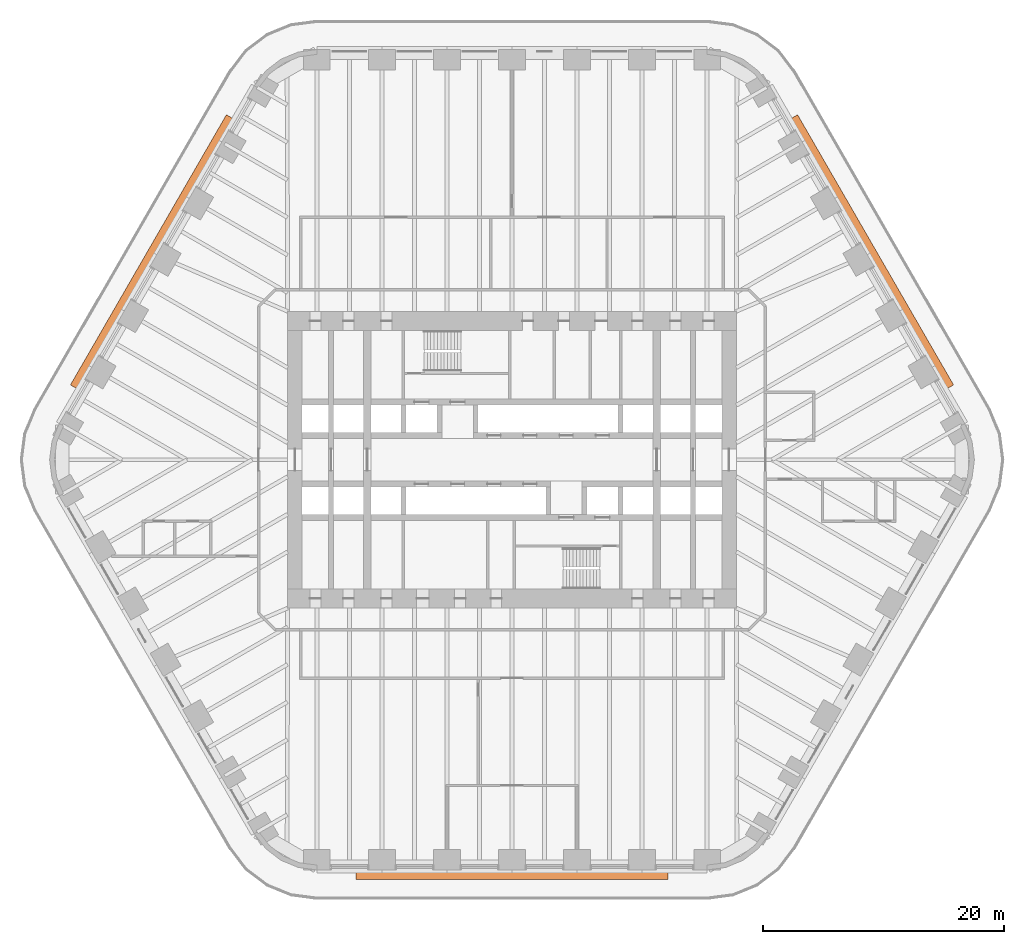
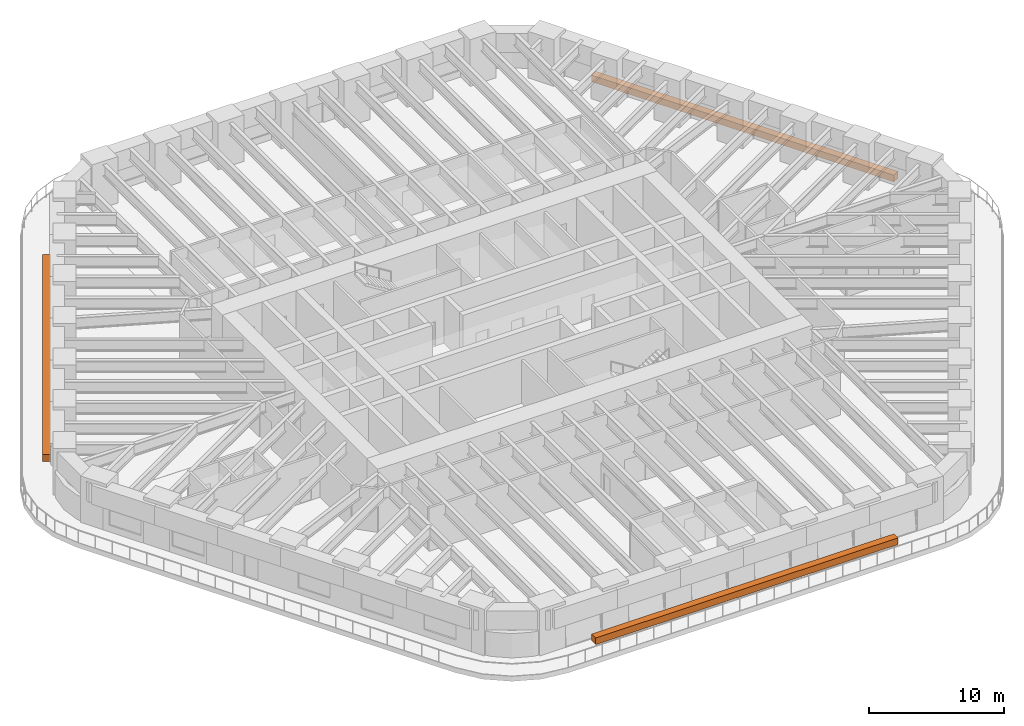
# One storey, part 16 of 16: 3 proxies.
"""IFC4 building model written with IfcOpenShell, lengths in metres."""

from ifc_helpers import new_model, si_unit, direction, frame, origin, origin_2d, place, context, subcontext, project, spatial, rectangle, extrude, material, element, save


model = new_model("IFC4")

# Units and contexts
model_context = context("Model", 3, precision=1e-05, world=origin(), true_north=direction((0.0, 1.0)))
body_context = subcontext(model_context, "Body", "Model", "MODEL_VIEW")
ifc_project = project(units=[si_unit("LENGTHUNIT", "METRE"), si_unit("AREAUNIT", "SQUARE_METRE"), si_unit("VOLUMEUNIT", "CUBIC_METRE"), si_unit("PLANEANGLEUNIT", "RADIAN"), si_unit("MASSUNIT", "GRAM", prefix="KILO")], contexts=[model_context])

# Site, building, storey
site_placement = place(None, origin())
site = spatial("IfcSite", under=ifc_project, at=site_placement, CompositionType="ELEMENT")
building_placement = place(site_placement, origin())
building = spatial("IfcBuilding", under=site, at=building_placement, Name="Tarfa Lantern Tower", CompositionType="ELEMENT")
storey_placement = place(building_placement, frame((0.0, 0.0, 103.300048828125)))
storey = spatial("IfcBuildingStorey", under=building, at=storey_placement, Name="L23", CompositionType="ELEMENT", Elevation=103.300048828125)

# Proxies
ifc_material = material(Name="Planting bed")
for number, where, z_axis, x_axis, name in (
    (1, (29.8779296875, 17.25, 0.0), (0.0, 0.0, 1.0), (-0.5, 0.866025403784, 0.0), "Balcony planter"),
    (2, (-29.8779296875, 17.25, 0.0), (0.0, 0.0, 1.0), (-0.5, -0.866025403784, 0.0), "Balcony planter"),
    (3, (0.0, -34.5, 0.0), (0.0, 0.0, 1.0), (1.0, 0.0, 0.0), "Balcony planter"),
):
    element("IfcBuildingElementProxy", number, at=place(storey_placement, frame(where, z_axis=z_axis, x_axis=x_axis)), inside=storey, material=ifc_material, Name=name, ObjectType="PLANTER", PredefinedType="USERDEFINED", context=body_context, shape_type="SweptSolid", body=[
        extrude(rectangle(XDim=25.865234375, YDim=0.60009765625, at=origin_2d()), origin(), (0.0, 0.0, 1.0), 0.60009765625),
    ])

save(model, "model.ifc")
